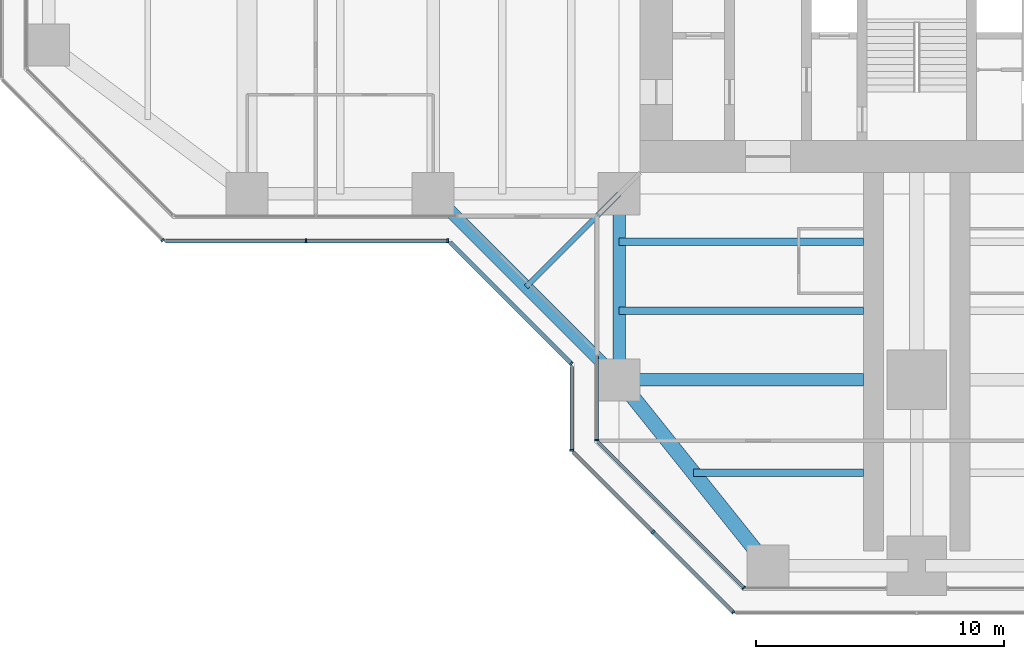
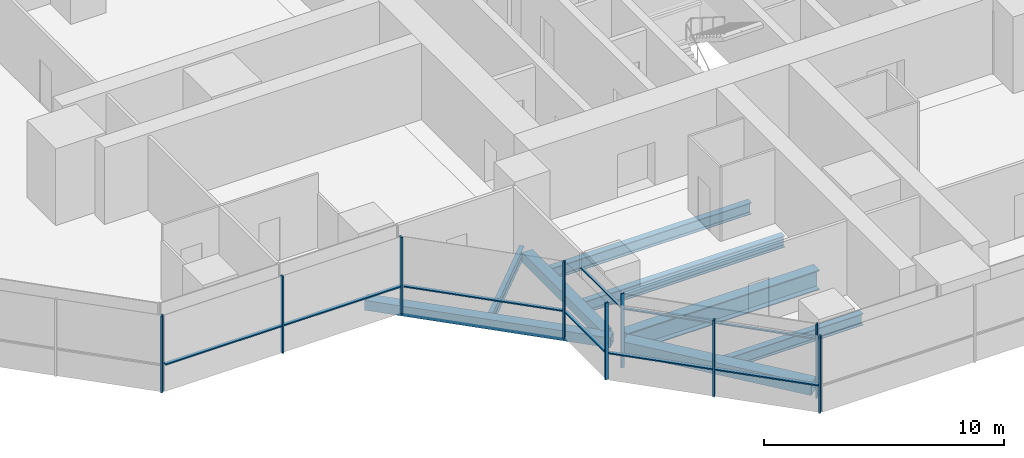
# One storey, part 2 of 19: 17 members, 8 beams, 7 elements without a shape of their own.
"""IFC4 building model written with IfcOpenShell, lengths in metres."""

from ifc_helpers import new_model, si_unit, direction, frame, origin, origin_2d, place, context, subcontext, project, spatial, rectangle, hollow_rectangle, i_section, extrude, material, material_profile, profile_set, type_object, element, aggregate, save


model = new_model("IFC4")

# Units and contexts
model_context = context("Model", 3, precision=1e-05, world=origin(), true_north=direction((0.0, 1.0)))
body_context = subcontext(model_context, "Body", "Model", "MODEL_VIEW")
ifc_project = project(units=[si_unit("LENGTHUNIT", "METRE"), si_unit("AREAUNIT", "SQUARE_METRE"), si_unit("VOLUMEUNIT", "CUBIC_METRE"), si_unit("PLANEANGLEUNIT", "RADIAN"), si_unit("MASSUNIT", "GRAM", prefix="KILO")], contexts=[model_context])

# Site, building, storey
site_placement = place(None, origin())
site = spatial("IfcSite", under=ifc_project, at=site_placement, CompositionType="ELEMENT")
building_placement = place(site_placement, origin())
building = spatial("IfcBuilding", under=site, at=building_placement, Name="Mizan Broadcast Tower", CompositionType="ELEMENT")
storey_placement = place(building_placement, frame((0.0, 0.0, 182.699951171875)))
storey = spatial("IfcBuildingStorey", under=building, at=storey_placement, Name="L42", CompositionType="ELEMENT", Elevation=182.699951171875)

# Beams
ifc_material_1 = material(Name="Steel S355", Category="steel")
ifc_material_profile_1 = material_profile(ifc_material_1, hollow_rectangle(XDim=0.5, YDim=0.5, WallThickness=0.030029296875, at=origin_2d()), Name="BOX 500x500x30")
ifc_profile_set_1 = profile_set([ifc_material_profile_1], Name="Steel S355")
beam_type_1 = type_object("IfcBeamType", Name="EDGE BEAM BOX 500x500x30", PredefinedType="SPANDREL", material=ifc_profile_set_1)
beam_1_placement = place(storey_placement, frame((-12.0, -12.449951171875, -0.3798828125), z_axis=(0.0, -1.0, 0.0), x_axis=(1.0, 0.0, 0.0)))
element("IfcBeam", 1, at=beam_1_placement, inside=storey, type_object=beam_type_1, Name="Edge beam BOX 500x500x30 L42 south arm", PredefinedType="SPANDREL", context=body_context, shape_type="SweptSolid", body=[
    extrude(hollow_rectangle(XDim=0.5, YDim=0.5, WallThickness=0.030029296875, at=origin_2d()), origin(), (0.0, 0.0, 1.0), 6.60009765625),
])
beam_2_placement = place(storey_placement, frame((-19.5, -12.0, -0.3798828125), z_axis=(0.707106781187, -0.707106781187, 0.0), x_axis=(0.707106781187, 0.707106781187, 0.0)))
element("IfcBeam", 2, at=beam_2_placement, inside=storey, type_object=beam_type_1, Name="Winter garden edge beam L42 W", PredefinedType="SPANDREL", context=body_context, shape_type="SweptSolid", body=[
    extrude(hollow_rectangle(XDim=0.5, YDim=0.5, WallThickness=0.030029296875, at=origin_2d()), origin(), (0.0, 0.0, 1.0), 10.606689453125),
])
ifc_material_2 = material(Name="Steel S355", Category="steel")
ifc_material_profile_2 = material_profile(ifc_material_2, hollow_rectangle(XDim=0.60009765625, YDim=0.60009765625, WallThickness=0.030029296875, at=origin_2d()), Name="BOX 600x600x30")
ifc_profile_set_2 = profile_set([ifc_material_profile_2], Name="Steel S355")
beam_type_2 = type_object("IfcBeamType", Name="EDGE BEAM BOX 600x600x30", PredefinedType="SPANDREL", material=ifc_profile_set_2)
beam_3_placement = place(storey_placement, frame((-11.639892578125, -19.949951171875, -0.429931640625), z_axis=(0.624673911726, -0.780885717636, 0.0), x_axis=(0.780885717636, 0.624673911726, 0.0)))
element("IfcBeam", 3, at=beam_3_placement, inside=storey, type_object=beam_type_2, Name="Edge beam BOX 600x600x30 L42 south arm", PredefinedType="SPANDREL", context=body_context, shape_type="SweptSolid", body=[
    extrude(hollow_rectangle(XDim=0.60009765625, YDim=0.60009765625, WallThickness=0.030029296875, at=origin_2d()), origin(), (0.0, 0.0, 1.0), 8.4521484375),
])
ifc_material_3 = material(Name="Steel S460", Category="steel")
ifc_material_profile_3 = material_profile(ifc_material_3, i_section(OverallWidth=0.5, OverallDepth=1.0, WebThickness=0.02490234375, FlangeThickness=0.050048828125, at=origin_2d()), Name="WPG 1000x500")
ifc_profile_set_3 = profile_set([ifc_material_profile_3], Name="Steel S460")
beam_type_3 = type_object("IfcBeamType", Name="GIRDER WPG 1000x500", PredefinedType="BEAM", material=ifc_profile_set_3)
beam_4_placement = place(storey_placement, frame((-11.408935546875, -19.5, -0.6298828125), z_axis=(1.0, 0.0, 0.0), x_axis=(0.0, 1.0, 0.0)))
element("IfcBeam", 4, at=beam_4_placement, inside=storey, type_object=beam_type_3, Name="Girder WPG 1000x500 L42 south arm", PredefinedType="BEAM", context=body_context, shape_type="SweptSolid", body=[
    extrude(i_section(OverallWidth=0.5, OverallDepth=1.0, WebThickness=0.02490234375, FlangeThickness=0.050048828125, at=origin_2d()), origin(), (0.0, 0.0, 1.0), 9.259033203125),
])

# Curtain wall, member
ifc_material_4 = material(Name="Aluminium framed glazing", Category="aluminium")
curtain_wall_type_1 = type_object("IfcCurtainWallType", Name="INNER SKIN MID ZONE", PredefinedType="USERDEFINED", material=ifc_material_4)
curtain_wall_1_placement = place(storey_placement, origin())
curtain_wall_1 = element("IfcCurtainWall", 5, at=curtain_wall_1_placement, inside=storey, type_object=curtain_wall_type_1, Name="Inner skin mid zone L42 S side", ObjectType="INNER SKIN MID ZONE", PredefinedType="USERDEFINED")
ifc_material_5 = material(Name="Aluminium, pale anodised", Category="aluminium")
ifc_material_profile_4 = material_profile(ifc_material_5, rectangle(XDim=0.159912109375, YDim=0.06005859375, at=origin_2d()), Name="MULLION 160x60")
ifc_profile_set_4 = profile_set([ifc_material_profile_4], Name="Aluminium, pale anodised")
member_type_1 = type_object("IfcMemberType", Name="INNER SKIN MULLION 60x160", PredefinedType="MULLION", material=ifc_profile_set_4)
member_1_placement = place(storey_placement, frame((-12.89990234375, -21.928466796875, 0.0), z_axis=(0.0, 0.0, 1.0), x_axis=(1.0, 0.0, 0.0)))
member_1 = element("IfcMember", 6, at=member_1_placement, type_object=member_type_1, Name="Inner skin mid zone L42 S side mullion 2", PredefinedType="MULLION", context=body_context, shape_type="SweptSolid", body=[
    extrude(rectangle(XDim=0.159912109375, YDim=0.06005859375, at=origin_2d()), origin(), (0.0, 0.0, 1.0), 3.77001953125),
])

curtain_wall_2_placement = place(storey_placement, origin())
curtain_wall_2 = element("IfcCurtainWall", 7, at=curtain_wall_2_placement, inside=storey, type_object=curtain_wall_type_1, Name="Inner skin mid zone L42 S chamfer", ObjectType="INNER SKIN MID ZONE", PredefinedType="USERDEFINED")
member_2_placement = place(storey_placement, frame((-6.979736328125, -27.87890625, 0.0), z_axis=(0.0, 0.0, 1.0), x_axis=(0.707106781187, 0.707106781187, 0.0)))
member_2 = element("IfcMember", 8, at=member_2_placement, type_object=member_type_1, Name="Inner skin mid zone L42 S chamfer mullion 2", PredefinedType="MULLION", context=body_context, shape_type="SweptSolid", body=[
    extrude(rectangle(XDim=0.159912109375, YDim=0.06005859375, at=origin_2d()), origin(), (0.0, 0.0, 1.0), 3.77001953125),
])

# Member
ifc_material_6 = material(Name="Aluminium, pale anodised", Category="aluminium")
ifc_material_profile_5 = material_profile(ifc_material_6, rectangle(XDim=0.1201171875, YDim=0.06005859375, at=origin_2d()), Name="TRANSOM 120x60")
ifc_profile_set_5 = profile_set([ifc_material_profile_5], Name="Aluminium, pale anodised")
member_type_2 = type_object("IfcMemberType", Name="INNER SKIN TRANSOM 60x120", PredefinedType="USERDEFINED", material=ifc_profile_set_5)
member_3_placement = place(storey_placement, frame((-12.89990234375, -18.56005859375, 3.030029296875), z_axis=(0.0, -1.0, 0.0), x_axis=(1.0, 0.0, 0.0)))
member_3 = element("IfcMember", 9, at=member_3_placement, type_object=member_type_2, Name="Inner skin mid zone L42 S side transom 1.1", ObjectType="TRANSOM", PredefinedType="USERDEFINED", context=body_context, shape_type="SweptSolid", body=[
    extrude(rectangle(XDim=0.1201171875, YDim=0.06005859375, at=origin_2d()), origin(), (0.0, 0.0, 1.0), 3.338623046875),
])

aggregate(curtain_wall_1, [member_1, member_3])

member_4_placement = place(storey_placement, frame((-12.857666015625, -22.0009765625, 3.030029296875), z_axis=(0.707106781187, -0.707106781187, 0.0), x_axis=(0.707106781187, 0.707106781187, 0.0)))
member_4 = element("IfcMember", 10, at=member_4_placement, type_object=member_type_2, Name="Inner skin mid zone L42 S chamfer transom 1.1", ObjectType="TRANSOM", PredefinedType="USERDEFINED", context=body_context, shape_type="SweptSolid", body=[
    extrude(rectangle(XDim=0.1201171875, YDim=0.06005859375, at=origin_2d()), origin(), (0.0, 0.0, 1.0), 8.28271484375),
])

aggregate(curtain_wall_2, [member_2, member_4])

# Curtain wall, member
ifc_material_7 = material(Name="Aluminium framed glazing", Category="aluminium")
curtain_wall_type_2 = type_object("IfcCurtainWallType", Name="OUTER SKIN", PredefinedType="USERDEFINED", material=ifc_material_7)
curtain_wall_3_placement = place(storey_placement, origin())
curtain_wall_3 = element("IfcCurtainWall", 11, at=curtain_wall_3_placement, inside=storey, type_object=curtain_wall_type_2, Name="Outer skin L42 W chamfer", ObjectType="OUTER SKIN", PredefinedType="USERDEFINED")
ifc_material_8 = material(Name="Aluminium, pale anodised", Category="aluminium")
ifc_material_profile_6 = material_profile(ifc_material_8, rectangle(XDim=0.159912109375, YDim=0.080078125, at=origin_2d()), Name="MULLION 160x80")
ifc_profile_set_6 = profile_set([ifc_material_profile_6], Name="Aluminium, pale anodised")
member_type_3 = type_object("IfcMemberType", Name="OUTER SKIN MULLION 80x160", PredefinedType="MULLION", material=ifc_profile_set_6)
member_5_placement = place(storey_placement, frame((-30.401123046875, -13.871826171875, 0.0), z_axis=(0.0, 0.0, 1.0), x_axis=(0.707106781187, 0.707106781187, 0.0)))
member_5 = element("IfcMember", 12, at=member_5_placement, type_object=member_type_3, Name="Outer skin L42 W chamfer mullion 3", PredefinedType="MULLION", context=body_context, shape_type="SweptSolid", body=[
    extrude(rectangle(XDim=0.159912109375, YDim=0.080078125, at=origin_2d()), origin(), (0.0, 0.0, 1.0), 3.900146484375),
])
aggregate(curtain_wall_3, [member_5])

# Curtain wall, members
curtain_wall_4_placement = place(storey_placement, origin())
curtain_wall_4 = element("IfcCurtainWall", 13, at=curtain_wall_4_placement, inside=storey, type_object=curtain_wall_type_2, Name="Outer skin L42 W side", ObjectType="OUTER SKIN", PredefinedType="USERDEFINED")
member_6_placement = place(storey_placement, frame((-24.622802734375, -13.89990234375, 0.0), z_axis=(0.0, 0.0, 1.0), x_axis=(0.0, 1.0, 0.0)))
member_6 = element("IfcMember", 14, at=member_6_placement, type_object=member_type_3, Name="Outer skin L42 W side mullion 2", PredefinedType="MULLION", context=body_context, shape_type="SweptSolid", body=[
    extrude(rectangle(XDim=0.159912109375, YDim=0.080078125, at=origin_2d()), origin(), (0.0, 0.0, 1.0), 3.900146484375),
])
member_7_placement = place(storey_placement, frame((-18.912841796875, -13.89990234375, 0.0), z_axis=(0.0, 0.0, 1.0), x_axis=(0.0, 1.0, 0.0)))
member_7 = element("IfcMember", 15, at=member_7_placement, type_object=member_type_3, Name="Outer skin L42 W side mullion 3", PredefinedType="MULLION", context=body_context, shape_type="SweptSolid", body=[
    extrude(rectangle(XDim=0.159912109375, YDim=0.080078125, at=origin_2d()), origin(), (0.0, 0.0, 1.0), 3.900146484375),
])

# Curtain wall, member
curtain_wall_5_placement = place(storey_placement, origin())
curtain_wall_5 = element("IfcCurtainWall", 16, at=curtain_wall_5_placement, inside=storey, type_object=curtain_wall_type_2, Name="Outer skin L42 W chamfer", ObjectType="OUTER SKIN", PredefinedType="USERDEFINED")
member_8_placement = place(storey_placement, frame((-13.92822265625, -18.844482421875, 0.0), z_axis=(0.0, 0.0, 1.0), x_axis=(0.707106781187, 0.707106781187, 0.0)))
member_8 = element("IfcMember", 17, at=member_8_placement, type_object=member_type_3, Name="Outer skin L42 W chamfer mullion 2", PredefinedType="MULLION", context=body_context, shape_type="SweptSolid", body=[
    extrude(rectangle(XDim=0.159912109375, YDim=0.080078125, at=origin_2d()), origin(), (0.0, 0.0, 1.0), 3.900146484375),
])

curtain_wall_6_placement = place(storey_placement, origin())
curtain_wall_6 = element("IfcCurtainWall", 18, at=curtain_wall_6_placement, inside=storey, type_object=curtain_wall_type_2, Name="Outer skin L42 S side", ObjectType="OUTER SKIN", PredefinedType="USERDEFINED")
member_9_placement = place(storey_placement, frame((-13.89990234375, -22.332763671875, 0.0), z_axis=(0.0, 0.0, 1.0), x_axis=(1.0, 0.0, 0.0)))
member_9 = element("IfcMember", 19, at=member_9_placement, type_object=member_type_3, Name="Outer skin L42 S side mullion 2", PredefinedType="MULLION", context=body_context, shape_type="SweptSolid", body=[
    extrude(rectangle(XDim=0.159912109375, YDim=0.080078125, at=origin_2d()), origin(), (0.0, 0.0, 1.0), 3.900146484375),
])

# Curtain wall, members
curtain_wall_7_placement = place(storey_placement, origin())
curtain_wall_7 = element("IfcCurtainWall", 20, at=curtain_wall_7_placement, inside=storey, type_object=curtain_wall_type_2, Name="Outer skin L42 S chamfer", ObjectType="OUTER SKIN", PredefinedType="USERDEFINED")
member_10_placement = place(storey_placement, frame((-10.636474609375, -25.636474609375, 0.0), z_axis=(0.0, 0.0, 1.0), x_axis=(0.707106781187, 0.707106781187, 0.0)))
member_10 = element("IfcMember", 21, at=member_10_placement, type_object=member_type_3, Name="Outer skin L42 S chamfer mullion 2", PredefinedType="MULLION", context=body_context, shape_type="SweptSolid", body=[
    extrude(rectangle(XDim=0.159912109375, YDim=0.080078125, at=origin_2d()), origin(), (0.0, 0.0, 1.0), 3.900146484375),
])
member_11_placement = place(storey_placement, frame((-7.401123046875, -28.871826171875, 0.0), z_axis=(0.0, 0.0, 1.0), x_axis=(0.707106781187, 0.707106781187, 0.0)))
member_11 = element("IfcMember", 22, at=member_11_placement, type_object=member_type_3, Name="Outer skin L42 S chamfer mullion 3", PredefinedType="MULLION", context=body_context, shape_type="SweptSolid", body=[
    extrude(rectangle(XDim=0.159912109375, YDim=0.080078125, at=origin_2d()), origin(), (0.0, 0.0, 1.0), 3.900146484375),
])

# Member
ifc_material_9 = material(Name="Aluminium, pale anodised", Category="aluminium")
ifc_material_profile_7 = material_profile(ifc_material_9, rectangle(XDim=0.159912109375, YDim=0.06005859375, at=origin_2d()), Name="TRANSOM 160x60")
ifc_profile_set_7 = profile_set([ifc_material_profile_7], Name="Aluminium, pale anodised")
member_type_4 = type_object("IfcMemberType", Name="OUTER SKIN TRANSOM 60x160", PredefinedType="USERDEFINED", material=ifc_profile_set_7)
member_12_placement = place(storey_placement, frame((-30.292724609375, -13.89990234375, 1.400146484375), z_axis=(1.0, 0.0, 0.0), x_axis=(0.0, 1.0, 0.0)))
member_12 = element("IfcMember", 23, at=member_12_placement, type_object=member_type_4, Name="Outer skin L42 W side transom 1.1", ObjectType="TRANSOM", PredefinedType="USERDEFINED", context=body_context, shape_type="SweptSolid", body=[
    extrude(rectangle(XDim=0.159912109375, YDim=0.06005859375, at=origin_2d()), origin(), (0.0, 0.0, 1.0), 5.6298828125),
])

member_13_placement = place(storey_placement, frame((-24.582763671875, -13.89990234375, 1.400146484375), z_axis=(1.0, 0.0, 0.0), x_axis=(0.0, 1.0, 0.0)))
member_13 = element("IfcMember", 24, at=member_13_placement, type_object=member_type_4, Name="Outer skin L42 W side transom 2.1", ObjectType="TRANSOM", PredefinedType="USERDEFINED", context=body_context, shape_type="SweptSolid", body=[
    extrude(rectangle(XDim=0.159912109375, YDim=0.06005859375, at=origin_2d()), origin(), (0.0, 0.0, 1.0), 5.6298828125),
])

aggregate(curtain_wall_4, [member_6, member_7, member_12, member_13])

member_14_placement = place(storey_placement, frame((-18.816162109375, -13.95654296875, 1.400146484375), z_axis=(0.707106781187, -0.707106781187, 0.0), x_axis=(0.707106781187, 0.707106781187, 0.0)))
member_14 = element("IfcMember", 25, at=member_14_placement, type_object=member_type_4, Name="Outer skin L42 W chamfer transom 1.1", ObjectType="TRANSOM", PredefinedType="USERDEFINED", context=body_context, shape_type="SweptSolid", body=[
    extrude(rectangle(XDim=0.159912109375, YDim=0.06005859375, at=origin_2d()), origin(), (0.0, 0.0, 1.0), 6.87255859375),
])

aggregate(curtain_wall_5, [member_8, member_14])

member_15_placement = place(storey_placement, frame((-13.89990234375, -18.952880859375, 1.400146484375), z_axis=(0.0, -1.0, 0.0), x_axis=(1.0, 0.0, 0.0)))
member_15 = element("IfcMember", 26, at=member_15_placement, type_object=member_type_4, Name="Outer skin L42 S side transom 1.1", ObjectType="TRANSOM", PredefinedType="USERDEFINED", context=body_context, shape_type="SweptSolid", body=[
    extrude(rectangle(XDim=0.159912109375, YDim=0.06005859375, at=origin_2d()), origin(), (0.0, 0.0, 1.0), 3.33984375),
])

aggregate(curtain_wall_6, [member_9, member_15])

member_16_placement = place(storey_placement, frame((-13.843505859375, -22.429443359375, 1.400146484375), z_axis=(0.707106781187, -0.707106781187, 0.0), x_axis=(0.707106781187, 0.707106781187, 0.0)))
member_16 = element("IfcMember", 27, at=member_16_placement, type_object=member_type_4, Name="Outer skin L42 S chamfer transom 1.1", ObjectType="TRANSOM", PredefinedType="USERDEFINED", context=body_context, shape_type="SweptSolid", body=[
    extrude(rectangle(XDim=0.159912109375, YDim=0.06005859375, at=origin_2d()), origin(), (0.0, 0.0, 1.0), 4.495361328125),
])

member_17_placement = place(storey_placement, frame((-10.608154296875, -25.664794921875, 1.400146484375), z_axis=(0.707106781187, -0.707106781187, 0.0), x_axis=(0.707106781187, 0.707106781187, 0.0)))
member_17 = element("IfcMember", 28, at=member_17_placement, type_object=member_type_4, Name="Outer skin L42 S chamfer transom 2.1", ObjectType="TRANSOM", PredefinedType="USERDEFINED", context=body_context, shape_type="SweptSolid", body=[
    extrude(rectangle(XDim=0.159912109375, YDim=0.06005859375, at=origin_2d()), origin(), (0.0, 0.0, 1.0), 4.495361328125),
])

aggregate(curtain_wall_7, [member_10, member_11, member_16, member_17])

# Beams
ifc_material_10 = material(Name="Steel S355", Category="steel")
ifc_material_profile_8 = material_profile(ifc_material_10, i_section(OverallWidth=0.300048828125, OverallDepth=0.590087890625, WebThickness=0.012939453125, FlangeThickness=0.02490234375, FilletRadius=0.027099609375, at=origin_2d()), Name="HEA 600")
ifc_profile_set_8 = profile_set([ifc_material_profile_8], Name="Steel S355")
beam_type_4 = type_object("IfcBeamType", Name="SECONDARY BEAM HEA 600", PredefinedType="JOIST", material=ifc_profile_set_8)
for number, where, z_axis, x_axis, name in (
    (29, (-12.0, -13.933349609375, -0.425048828125), (1.0, 0.0, 0.0), (0.0, 1.0, 0.0), "Secondary beam HEA 600 L42 south arm"),
    (30, (-12.0, -16.716552734375, -0.425048828125), (1.0, 0.0, 0.0), (0.0, 1.0, 0.0), "Secondary beam HEA 600 L42 south arm"),
):
    element("IfcBeam", number, at=place(storey_placement, frame(where, z_axis=z_axis, x_axis=x_axis)), inside=storey, type_object=beam_type_4, Name=name, PredefinedType="JOIST", context=body_context, shape_type="SweptSolid", body=[
        extrude(i_section(OverallWidth=0.300048828125, OverallDepth=0.590087890625, WebThickness=0.012939453125, FlangeThickness=0.02490234375, FilletRadius=0.027099609375, at=origin_2d()), origin(), (0.0, 0.0, 1.0), 9.85009765625),
    ])
beam_5_placement = place(storey_placement, frame((-9.0, -23.25, -0.425048828125), z_axis=(1.0, 0.0, 0.0), x_axis=(0.0, 1.0, 0.0)))
element("IfcBeam", 31, at=beam_5_placement, inside=storey, type_object=beam_type_4, Name="Secondary beam HEA 600 L42 south arm", PredefinedType="JOIST", context=body_context, shape_type="SweptSolid", body=[
    extrude(i_section(OverallWidth=0.300048828125, OverallDepth=0.590087890625, WebThickness=0.012939453125, FlangeThickness=0.02490234375, FilletRadius=0.027099609375, at=origin_2d()), origin(), (0.0, 0.0, 1.0), 6.85009765625),
])
ifc_material_11 = material(Name="Steel S355", Category="steel")
ifc_material_profile_9 = material_profile(ifc_material_11, i_section(OverallWidth=0.2099609375, OverallDepth=0.550048828125, WebThickness=0.010986328125, FlangeThickness=0.01708984375, FilletRadius=0.02392578125, at=origin_2d()), Name="IPE 550")
ifc_profile_set_9 = profile_set([ifc_material_profile_9], Name="Steel S355")
beam_type_5 = type_object("IfcBeamType", Name="SECONDARY BEAM IPE 550", PredefinedType="JOIST", material=ifc_profile_set_9)
beam_6_placement = place(storey_placement, frame((-12.0, -12.0, -0.405029296875), z_axis=(-0.707106781187, -0.707106781187, 0.0), x_axis=(0.707106781187, -0.707106781187, 0.0)))
element("IfcBeam", 32, at=beam_6_placement, inside=storey, type_object=beam_type_5, Name="Winter garden beam L42 W", PredefinedType="JOIST", context=body_context, shape_type="SweptSolid", body=[
    extrude(i_section(OverallWidth=0.2099609375, OverallDepth=0.550048828125, WebThickness=0.010986328125, FlangeThickness=0.01708984375, FilletRadius=0.02392578125, at=origin_2d()), origin(), (0.0, 0.0, 1.0), 5.30322265625),
])

save(model, "model.ifc")
